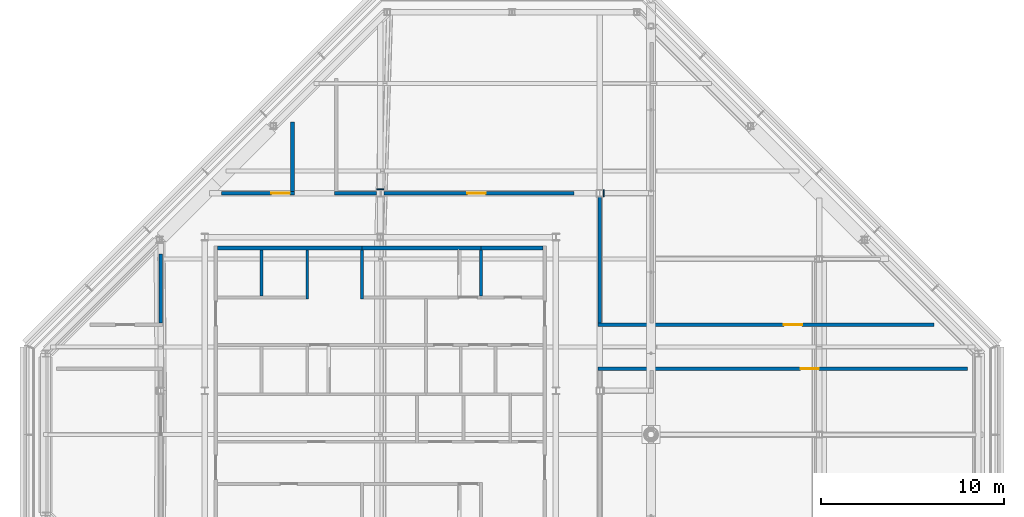
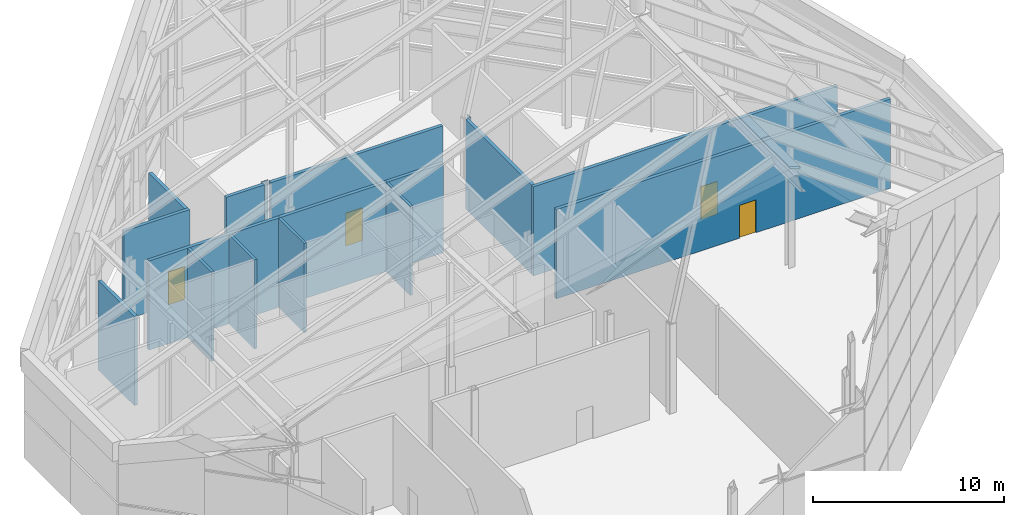
# One storey, part 19 of 21: 17 walls, 4 doors, 4 openings.
"""IFC4 building model written with IfcOpenShell, lengths in metres."""

from ifc_helpers import new_model, si_unit, direction, frame, frame_2d, origin, place, context, subcontext, project, spatial, rectangle, extrude, material, layer, layer_set, type_object, element, fill, save


model = new_model("IFC4")

# Units and contexts
model_context = context("Model", 3, precision=1e-05, world=origin(), true_north=direction((0.0, 1.0)))
body_context = subcontext(model_context, "Body", "Model", "MODEL_VIEW")
ifc_project = project(units=[si_unit("LENGTHUNIT", "METRE"), si_unit("AREAUNIT", "SQUARE_METRE"), si_unit("VOLUMEUNIT", "CUBIC_METRE"), si_unit("PLANEANGLEUNIT", "RADIAN"), si_unit("MASSUNIT", "GRAM", prefix="KILO")], contexts=[model_context])

# Site, building, storey
site_placement = place(None, origin())
site = spatial("IfcSite", under=ifc_project, at=site_placement, CompositionType="ELEMENT")
building_placement = place(site_placement, origin())
building = spatial("IfcBuilding", under=site, at=building_placement, Name="Cairn Pilgrim Tower", CompositionType="ELEMENT")
storey_placement = place(building_placement, frame((0.0, 0.0, 295.800048828125)))
storey = spatial("IfcBuildingStorey", under=building, at=storey_placement, Name="L76", CompositionType="ELEMENT", Elevation=295.800048828125)

# Walls
ifc_material_1 = material(Name="Concrete C32/40", Category="concrete")
ifc_layer_1 = layer(ifc_material_1, 0.199951171875)
ifc_layer_set_1 = layer_set([ifc_layer_1], Name="CORE OUTER WALL 200 EI 120")
wall_type_1 = type_object("IfcWallType", Name="CORE OUTER WALL 200 EI 120", PredefinedType="SOLIDWALL", material=ifc_layer_set_1)
wall_1_placement = place(storey_placement, frame((-1.699951171875, 10.199951171875, 0.0), z_axis=(0.0, 0.0, 1.0), x_axis=(1.0, 0.0, 0.0)))
element("IfcWall", 1, at=wall_1_placement, inside=storey, type_object=wall_type_1, Name="CW:L76:H12-1", PredefinedType="SOLIDWALL", context=body_context, shape_type="SweptSolid", body=[
    extrude(rectangle(XDim=7.89990234375, YDim=0.199951171875, at=frame_2d((3.949951171875, 0.0))), origin(), (0.0, 0.0, 1.0), 5.699951171875),
])
wall_2_placement = place(storey_placement, frame((12.699951171875, 10.199951171875, 0.0), z_axis=(0.0, 0.0, 1.0), x_axis=(1.0, 0.0, 0.0)))
element("IfcWall", 2, at=wall_2_placement, inside=storey, type_object=wall_type_1, Name="CW:L76:H12-3", PredefinedType="SOLIDWALL", context=body_context, shape_type="SweptSolid", body=[
    extrude(rectangle(XDim=3.400146484375, YDim=0.199951171875, at=frame_2d((1.7001953125, 0.0))), origin(), (0.0, 0.0, 1.0), 5.699951171875),
])
ifc_layer_2 = layer(ifc_material_1, 0.14990234375)
ifc_layer_set_2 = layer_set([ifc_layer_2], Name="CORE SHAFT WALL 150 EI 120")
wall_type_2 = type_object("IfcWallType", Name="CORE SHAFT WALL 150 EI 120", PredefinedType="SOLIDWALL", material=ifc_layer_set_2)
wall_3_placement = place(storey_placement, frame((0.699951171875, 7.574951171875, 0.0), z_axis=(0.0, 0.0, 1.0), x_axis=(0.0, 1.0, 0.0)))
element("IfcWall", 3, at=wall_3_placement, inside=storey, type_object=wall_type_2, Name="CW:L76:V15", PredefinedType="SOLIDWALL", context=body_context, shape_type="SweptSolid", body=[
    extrude(rectangle(XDim=2.525146484375, YDim=0.14990234375, at=frame_2d((1.2626953125, 0.0))), origin(), (0.0, 0.0, 1.0), 5.699951171875),
])
wall_4_placement = place(storey_placement, frame((3.199951171875, 7.425048828125, 0.0), z_axis=(0.0, 0.0, 1.0), x_axis=(0.0, 1.0, 0.0)))
element("IfcWall", 4, at=wall_4_placement, inside=storey, type_object=wall_type_2, Name="CW:L76:V17", PredefinedType="SOLIDWALL", context=body_context, shape_type="SweptSolid", body=[
    extrude(rectangle(XDim=2.675048828125, YDim=0.14990234375, at=frame_2d((1.33740234375, 0.0))), origin(), (0.0, 0.0, 1.0), 5.699951171875),
])
ifc_material_2 = material(Name="Gypsum partition")
ifc_layer_3 = layer(ifc_material_2, 0.050048828125)
ifc_layer_set_3 = layer_set([ifc_layer_3], Name="PARTITION 50 DRYWALL EI 120")
wall_type_3 = type_object("IfcWallType", Name="PARTITION 50 DRYWALL EI 120", PredefinedType="PARTITIONING", material=ifc_layer_set_3)
wall_5_placement = place(storey_placement, frame((19.422119140625, 13.012451171875, 0.0), z_axis=(0.0, 0.0, 1.0), x_axis=(0.0, 1.0, 0.0)))
element("IfcWall", 5, at=wall_5_placement, inside=storey, type_object=wall_type_3, Name="COLUMN CASING WC10", PredefinedType="PARTITIONING", context=body_context, shape_type="SweptSolid", body=[
    extrude(rectangle(XDim=0.375, YDim=0.050048828125, at=frame_2d((0.1875, 0.0))), origin(), (0.0, 0.0, 1.0), 5.699951171875),
])
wall_6_placement = place(storey_placement, frame((7.0029296875, 13.41259765625, 0.0), z_axis=(0.0, 0.0, 1.0), x_axis=(1.0, 0.0, 0.0)))
element("IfcWall", 6, at=wall_6_placement, inside=storey, type_object=wall_type_3, Name="COLUMN CASING WC12", PredefinedType="PARTITIONING", context=body_context, shape_type="SweptSolid", body=[
    extrude(rectangle(XDim=0.39404296875, YDim=0.050048828125, at=frame_2d((0.197021484375, 0.0))), origin(), (0.0, 0.0, 1.0), 5.699951171875),
])

# Wall, opening, door
ifc_layer_4 = layer(ifc_material_2, 0.199951171875)
ifc_layer_set_4 = layer_set([ifc_layer_4], Name="SHAFT WALL 200 GYPSUM EI 120")
wall_type_4 = type_object("IfcWallType", Name="SHAFT WALL 200 GYPSUM EI 120", PredefinedType="PARTITIONING", material=ifc_layer_set_4)
wall_7_placement = place(storey_placement, frame((19.10009765625, 3.60009765625, 0.0), z_axis=(0.0, 0.0, 1.0), x_axis=(1.0, 0.0, 0.0)))
wall_7 = element("IfcWall", 7, at=wall_7_placement, inside=storey, type_object=wall_type_4, Name="PARTITION W017", PredefinedType="PARTITIONING", context=body_context, shape_type="SweptSolid", body=[
    extrude(rectangle(XDim=20.199951171875, YDim=0.199951171875, at=frame_2d((10.10009765625, 0.0))), origin(), (0.0, 0.0, 1.0), 5.699951171875),
])
opening_1_placement = place(wall_7_placement, frame((11.074951171875, 0.0, 0.0)))
opening_1 = element("IfcOpeningElement", 8, at=opening_1_placement, cuts=wall_7, Name="Opening 7609", PredefinedType="OPENING", context=body_context, shape_type="SweptSolid", body=[
    extrude(rectangle(XDim=1.0, YDim=2.10009765625, at=frame_2d((0.5, 1.050048828125))), frame((0.0, 0.10986328125, 0.0), z_axis=(0.0, -1.0, 0.0), x_axis=(1.0, 0.0, 0.0)), (0.0, 0.0, 1.0), 0.219970703125),
])
ifc_material_3 = material(Name="Steel-faced fire door leaf", Category="steel")
door_type = type_object("IfcDoorType", Name="FIRE DOOR 1000x2100 FD60S", OperationType="NOTDEFINED", PredefinedType="DOOR", material=ifc_material_3)
door_1_placement = place(opening_1_placement, origin())
door_1 = element("IfcDoor", 9, at=door_1_placement, inside=storey, type_object=door_type, Name="DOOR 7609", OperationType="SINGLE_SWING_LEFT", OverallHeight=2.10009765625, OverallWidth=1.0, PredefinedType="DOOR", context=body_context, shape_type="SweptSolid", body=[
    extrude(rectangle(XDim=1.0, YDim=2.10009765625, at=frame_2d((0.5, 1.050048828125))), frame((0.0, 0.02490234375, 0.0), z_axis=(0.0, -1.0, 0.0), x_axis=(1.0, 0.0, 0.0)), (0.0, 0.0, 1.0), 0.050048828125),
])
fill(opening_1, door_1)

wall_8_placement = place(storey_placement, frame((19.10009765625, 6.0, 0.0), z_axis=(0.0, 0.0, 1.0), x_axis=(1.0, 0.0, 0.0)))
wall_8 = element("IfcWall", 10, at=wall_8_placement, inside=storey, type_object=wall_type_4, Name="PARTITION W019", PredefinedType="PARTITIONING", context=body_context, shape_type="SweptSolid", body=[
    extrude(rectangle(XDim=18.37890625, YDim=0.199951171875, at=frame_2d((9.189453125, 0.0))), origin(), (0.0, 0.0, 1.0), 5.699951171875),
])
opening_2_placement = place(wall_8_placement, frame((10.164306640625, 0.0, 0.0)))
opening_2 = element("IfcOpeningElement", 11, at=opening_2_placement, cuts=wall_8, Name="Opening 7604", PredefinedType="OPENING", context=body_context, shape_type="SweptSolid", body=[
    extrude(rectangle(XDim=1.0, YDim=2.10009765625, at=frame_2d((0.5, 1.050048828125))), frame((0.0, 0.10986328125, 0.0), z_axis=(0.0, -1.0, 0.0), x_axis=(1.0, 0.0, 0.0)), (0.0, 0.0, 1.0), 0.219970703125),
])
door_2_placement = place(opening_2_placement, frame((1.0, 0.0, 0.0), z_axis=(0.0, 0.0, 1.0), x_axis=(-1.0, 0.0, 0.0)))
door_2 = element("IfcDoor", 12, at=door_2_placement, inside=storey, type_object=door_type, Name="DOOR 7604", OperationType="SINGLE_SWING_LEFT", OverallHeight=2.10009765625, OverallWidth=1.0, PredefinedType="DOOR", context=body_context, shape_type="SweptSolid", body=[
    extrude(rectangle(XDim=1.0, YDim=2.10009765625, at=frame_2d((0.5, 1.050048828125))), frame((0.0, 0.02490234375, 0.0), z_axis=(0.0, -1.0, 0.0), x_axis=(1.0, 0.0, 0.0)), (0.0, 0.0, 1.0), 0.050048828125),
])
fill(opening_2, door_2)

# Walls
wall_9_placement = place(storey_placement, frame((-4.800048828125, 6.10009765625, 0.0), z_axis=(0.0, 0.0, 1.0), x_axis=(0.0, 1.0, 0.0)))
element("IfcWall", 13, at=wall_9_placement, inside=storey, type_object=wall_type_4, Name="PARTITION W020", PredefinedType="PARTITIONING", context=body_context, shape_type="SweptSolid", body=[
    extrude(rectangle(XDim=3.77880859375, YDim=0.199951171875, at=frame_2d((1.889404296875, 0.0))), origin(), (0.0, 0.0, 1.0), 5.699951171875),
])
wall_10_placement = place(storey_placement, frame((19.199951171875, 6.10009765625, 0.0), z_axis=(0.0, 0.0, 1.0), x_axis=(0.0, 1.0, 0.0)))
element("IfcWall", 14, at=wall_10_placement, inside=storey, type_object=wall_type_4, Name="PARTITION W021", PredefinedType="PARTITIONING", context=body_context, shape_type="SweptSolid", body=[
    extrude(rectangle(XDim=6.912353515625, YDim=0.199951171875, at=frame_2d((3.4560546875, 0.0))), origin(), (0.0, 0.0, 1.0), 5.699951171875),
])

# Wall, opening, door
wall_11_placement = place(storey_placement, frame((-1.47900390625, 13.199951171875, 0.0), z_axis=(0.0, 0.0, 1.0), x_axis=(1.0, 0.0, 0.0)))
wall_11 = element("IfcWall", 15, at=wall_11_placement, inside=storey, type_object=wall_type_4, Name="PARTITION W023", PredefinedType="PARTITIONING", context=body_context, shape_type="SweptSolid", body=[
    extrude(rectangle(XDim=3.97900390625, YDim=0.199951171875, at=frame_2d((1.989501953125, 0.0))), origin(), (0.0, 0.0, 1.0), 5.699951171875),
])
opening_3_placement = place(wall_11_placement, frame((2.728759765625, 0.0, 0.0)))
opening_3 = element("IfcOpeningElement", 16, at=opening_3_placement, cuts=wall_11, Name="Opening 7602", PredefinedType="OPENING", context=body_context, shape_type="SweptSolid", body=[
    extrude(rectangle(XDim=1.0, YDim=2.10009765625, at=frame_2d((0.5, 1.050048828125))), frame((0.0, 0.10986328125, 0.0), z_axis=(0.0, -1.0, 0.0), x_axis=(1.0, 0.0, 0.0)), (0.0, 0.0, 1.0), 0.219970703125),
])
door_3_placement = place(opening_3_placement, frame((1.0, 0.0, 0.0), z_axis=(0.0, 0.0, 1.0), x_axis=(-1.0, 0.0, 0.0)))
door_3 = element("IfcDoor", 17, at=door_3_placement, inside=storey, type_object=door_type, Name="DOOR 7602", OperationType="SINGLE_SWING_LEFT", OverallHeight=2.10009765625, OverallWidth=1.0, PredefinedType="DOOR", context=body_context, shape_type="SweptSolid", body=[
    extrude(rectangle(XDim=1.0, YDim=2.10009765625, at=frame_2d((0.5, 1.050048828125))), frame((0.0, 0.02490234375, 0.0), z_axis=(0.0, -1.0, 0.0), x_axis=(1.0, 0.0, 0.0)), (0.0, 0.0, 1.0), 0.050048828125),
])
fill(opening_3, door_3)

# Wall
wall_12_placement = place(storey_placement, frame((4.699951171875, 13.199951171875, 0.0), z_axis=(0.0, 0.0, 1.0), x_axis=(1.0, 0.0, 0.0)))
element("IfcWall", 18, at=wall_12_placement, inside=storey, type_object=wall_type_4, Name="PARTITION W024", PredefinedType="PARTITIONING", context=body_context, shape_type="SweptSolid", body=[
    extrude(rectangle(XDim=2.302978515625, YDim=0.199951171875, at=frame_2d((1.1513671875, 0.0))), origin(), (0.0, 0.0, 1.0), 5.699951171875),
])

# Wall, opening, door
wall_13_placement = place(storey_placement, frame((7.39697265625, 13.199951171875, 0.0), z_axis=(0.0, 0.0, 1.0), x_axis=(1.0, 0.0, 0.0)))
wall_13 = element("IfcWall", 19, at=wall_13_placement, inside=storey, type_object=wall_type_4, Name="PARTITION W025", PredefinedType="PARTITIONING", context=body_context, shape_type="SweptSolid", body=[
    extrude(rectangle(XDim=10.394775390625, YDim=0.199951171875, at=frame_2d((5.197265625, 0.0))), origin(), (0.0, 0.0, 1.0), 5.699951171875),
])
opening_4_placement = place(wall_13_placement, frame((4.563720703125, 0.0, 0.0)))
opening_4 = element("IfcOpeningElement", 20, at=opening_4_placement, cuts=wall_13, Name="Opening 7603", PredefinedType="OPENING", context=body_context, shape_type="SweptSolid", body=[
    extrude(rectangle(XDim=1.0, YDim=2.10009765625, at=frame_2d((0.5, 1.050048828125))), frame((0.0, 0.10986328125, 0.0), z_axis=(0.0, -1.0, 0.0), x_axis=(1.0, 0.0, 0.0)), (0.0, 0.0, 1.0), 0.219970703125),
])
door_4_placement = place(opening_4_placement, frame((1.0, 0.0, 0.0), z_axis=(0.0, 0.0, 1.0), x_axis=(-1.0, 0.0, 0.0)))
door_4 = element("IfcDoor", 21, at=door_4_placement, inside=storey, type_object=door_type, Name="DOOR 7603", OperationType="SINGLE_SWING_LEFT", OverallHeight=2.10009765625, OverallWidth=1.0, PredefinedType="DOOR", context=body_context, shape_type="SweptSolid", body=[
    extrude(rectangle(XDim=1.0, YDim=2.10009765625, at=frame_2d((0.5, 1.050048828125))), frame((0.0, 0.02490234375, 0.0), z_axis=(0.0, -1.0, 0.0), x_axis=(1.0, 0.0, 0.0)), (0.0, 0.0, 1.0), 0.050048828125),
])
fill(opening_4, door_4)

# Walls
wall_14_placement = place(storey_placement, frame((2.39990234375, 13.300048828125, 0.0), z_axis=(0.0, 0.0, 1.0), x_axis=(0.0, 1.0, 0.0)))
element("IfcWall", 22, at=wall_14_placement, inside=storey, type_object=wall_type_4, Name="PARTITION W026", PredefinedType="PARTITIONING", context=body_context, shape_type="SweptSolid", body=[
    extrude(rectangle(XDim=3.779052734375, YDim=0.199951171875, at=frame_2d((1.8896484375, 0.0))), origin(), (0.0, 0.0, 1.0), 5.699951171875),
])
ifc_material_4 = material(Name="Concrete C35/45", Category="concrete")
ifc_layer_5 = layer(ifc_material_4, 0.14990234375)
ifc_layer_set_5 = layer_set([ifc_layer_5], Name="STAIR SHAFT WALL 150 EI 120")
wall_type_5 = type_object("IfcWallType", Name="STAIR SHAFT WALL 150 EI 120", PredefinedType="SOLIDWALL", material=ifc_layer_set_5)
wall_15_placement = place(storey_placement, frame((6.199951171875, 7.425048828125, 0.0), z_axis=(0.0, 0.0, 1.0), x_axis=(0.0, 1.0, 0.0)))
element("IfcWall", 23, at=wall_15_placement, inside=storey, type_object=wall_type_5, Name="CW:L76:V19", PredefinedType="SOLIDWALL", context=body_context, shape_type="SweptSolid", body=[
    extrude(rectangle(XDim=2.675048828125, YDim=0.14990234375, at=frame_2d((1.33740234375, 0.0))), origin(), (0.0, 0.0, 1.0), 5.699951171875),
])
wall_16_placement = place(storey_placement, frame((12.699951171875, 7.574951171875, 0.0), z_axis=(0.0, 0.0, 1.0), x_axis=(0.0, 1.0, 0.0)))
element("IfcWall", 24, at=wall_16_placement, inside=storey, type_object=wall_type_5, Name="CW:L76:V26", PredefinedType="SOLIDWALL", context=body_context, shape_type="SweptSolid", body=[
    extrude(rectangle(XDim=2.525146484375, YDim=0.14990234375, at=frame_2d((1.2626953125, 0.0))), origin(), (0.0, 0.0, 1.0), 5.699951171875),
])
ifc_layer_6 = layer(ifc_material_4, 0.199951171875)
ifc_layer_set_6 = layer_set([ifc_layer_6], Name="STAIR SHAFT WALL 200 EI 120")
wall_type_6 = type_object("IfcWallType", Name="STAIR SHAFT WALL 200 EI 120", PredefinedType="SOLIDWALL", material=ifc_layer_set_6)
wall_17_placement = place(storey_placement, frame((6.199951171875, 10.199951171875, 0.0), z_axis=(0.0, 0.0, 1.0), x_axis=(1.0, 0.0, 0.0)))
element("IfcWall", 25, at=wall_17_placement, inside=storey, type_object=wall_type_6, Name="CW:L76:H12-2", PredefinedType="SOLIDWALL", context=body_context, shape_type="SweptSolid", body=[
    extrude(rectangle(XDim=6.5, YDim=0.199951171875, at=frame_2d((3.25, 0.0))), origin(), (0.0, 0.0, 1.0), 5.699951171875),
])

save(model, "model.ifc")
